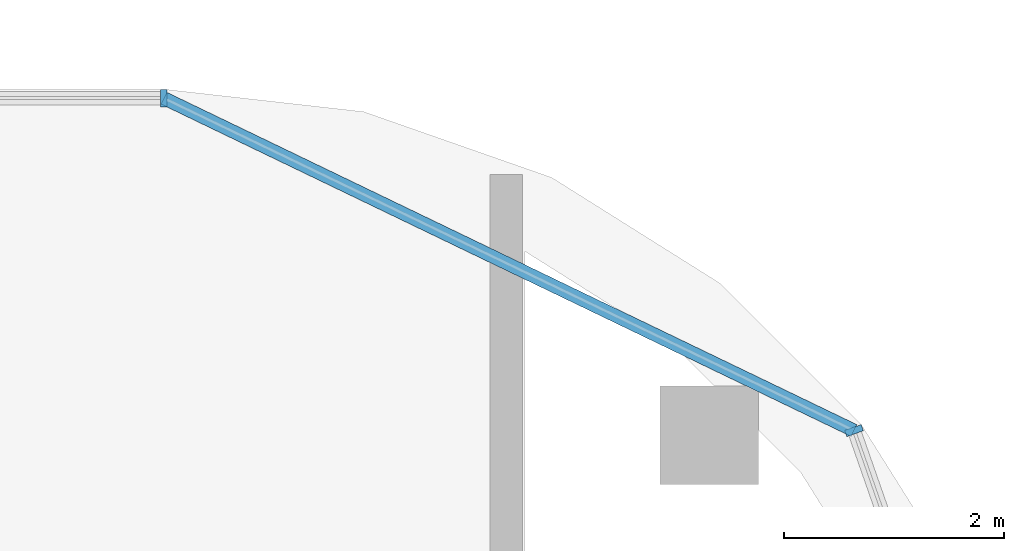
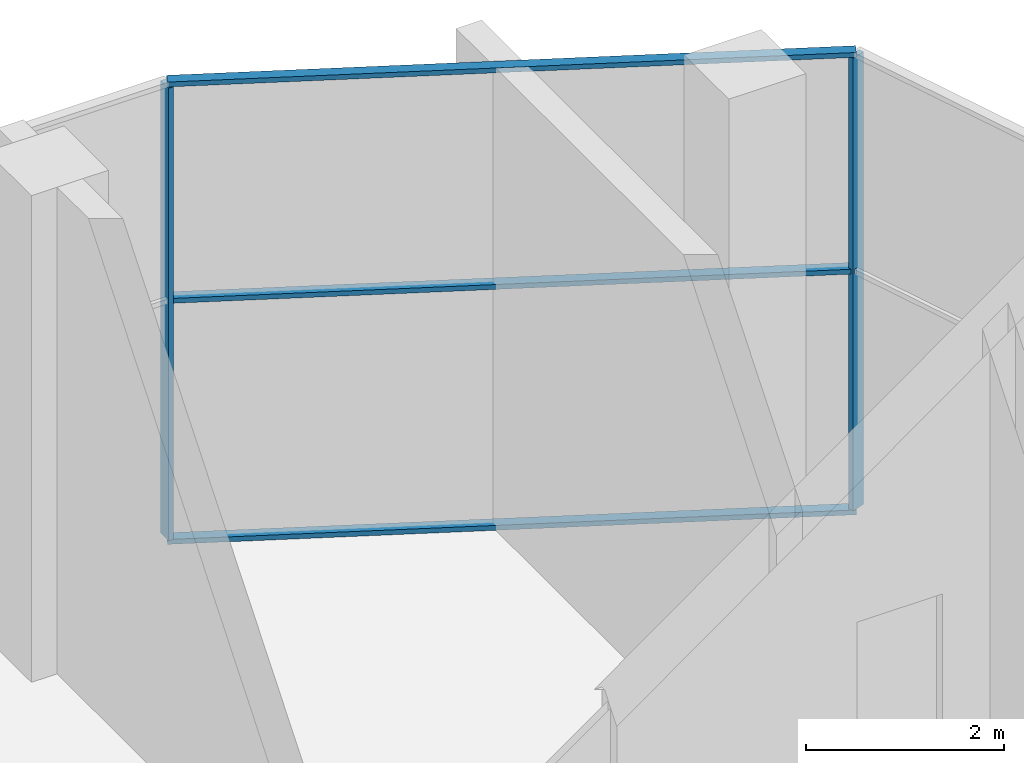
# One storey, part 8 of 21: 5 members, 2 elements without a shape of their own.
"""IFC4 building model written with IfcOpenShell, lengths in metres."""

from ifc_helpers import new_model, si_unit, direction, frame, origin, origin_2d, place, context, subcontext, project, spatial, rectangle, extrude, material, material_profile, profile_set, type_object, element, aggregate, save


model = new_model("IFC4")

# Units and contexts
model_context = context("Model", 3, precision=1e-05, world=origin(), true_north=direction((0.0, 1.0)))
body_context = subcontext(model_context, "Body", "Model", "MODEL_VIEW")
ifc_project = project(units=[si_unit("LENGTHUNIT", "METRE"), si_unit("AREAUNIT", "SQUARE_METRE"), si_unit("VOLUMEUNIT", "CUBIC_METRE"), si_unit("PLANEANGLEUNIT", "RADIAN"), si_unit("MASSUNIT", "GRAM", prefix="KILO")], contexts=[model_context])

# Site, building, storey
site_placement = place(None, origin())
site = spatial("IfcSite", under=ifc_project, at=site_placement, CompositionType="ELEMENT")
building_placement = place(site_placement, origin())
building = spatial("IfcBuilding", under=site, at=building_placement, Name="Ogive Portal Towers", CompositionType="ELEMENT")
storey_placement = place(building_placement, frame((0.0, 0.0, 266.89990234375)))
storey = spatial("IfcBuildingStorey", under=building, at=storey_placement, Name="L65", CompositionType="ELEMENT", Elevation=266.89990234375)

# Curtain wall, member
ifc_material_1 = material(Name="Glass, clear low-iron insulated glazing", Category="glass")
curtain_wall_type = type_object("IfcCurtainWallType", Name="CW OBSERVATION WALL", PredefinedType="NOTDEFINED", material=ifc_material_1)
curtain_wall_1_placement = place(storey_placement, origin())
curtain_wall_1 = element("IfcCurtainWall", 1, at=curtain_wall_1_placement, inside=storey, type_object=curtain_wall_type, Name="A:L65:f11:cw0", PredefinedType="NOTDEFINED")
ifc_material_2 = material(Name="Aluminium 6063 anodised", Category="aluminium")
ifc_material_profile_1 = material_profile(ifc_material_2, rectangle(XDim=0.159912109375, YDim=0.06005859375, at=origin_2d()), Name="AL 60x160")
ifc_profile_set_1 = profile_set([ifc_material_profile_1], Name="Aluminium 6063 anodised")
member_type_1 = type_object("IfcMemberType", Name="CW MULLION 60x160", PredefinedType="MULLION", material=ifc_profile_set_1)
member_1_placement = place(storey_placement, frame((87.481689453125, 40.52001953125, 0.06005859375), z_axis=(0.0, 0.0, 1.0), x_axis=(0.0, -1.0, 0.0)))
member_1 = element("IfcMember", 2, at=member_1_placement, type_object=member_type_1, Name="mullion", PredefinedType="MULLION", context=body_context, shape_type="SweptSolid", body=[
    extrude(rectangle(XDim=0.159912109375, YDim=0.06005859375, at=origin_2d()), origin(), (0.0, 0.0, 1.0), 5.580078125),
])
aggregate(curtain_wall_1, [member_1])

# Curtain wall, members
curtain_wall_2_placement = place(storey_placement, origin())
curtain_wall_2 = element("IfcCurtainWall", 3, at=curtain_wall_2_placement, inside=storey, type_object=curtain_wall_type, Name="A:L65:f09:cwa", PredefinedType="NOTDEFINED")
member_2_placement = place(storey_placement, frame((93.768310546875, 37.49267578125, 0.06005859375), z_axis=(0.0, 0.0, 1.0), x_axis=(-0.943883330307, -0.33027906196, 0.0)))
member_2 = element("IfcMember", 4, at=member_2_placement, type_object=member_type_1, Name="mullion", PredefinedType="MULLION", context=body_context, shape_type="SweptSolid", body=[
    extrude(rectangle(XDim=0.159912109375, YDim=0.06005859375, at=origin_2d()), origin(), (0.0, 0.0, 1.0), 5.580078125),
])
ifc_material_profile_2 = material_profile(ifc_material_2, rectangle(XDim=0.1201171875, YDim=0.06005859375, at=origin_2d()), Name="AL 120x60")
ifc_profile_set_2 = profile_set([ifc_material_profile_2], Name="Aluminium 6063 anodised")
member_type_2 = type_object("IfcMemberType", Name="CW TRANSOM 60x120", PredefinedType="USERDEFINED", material=ifc_profile_set_2)
member_3_placement = place(storey_placement, frame((93.768310546875, 37.49267578125, 0.030029296875), z_axis=(-0.90097634184, 0.433868218983, 0.0), x_axis=(-0.433868218983, -0.90097634184, 0.0)))
member_3 = element("IfcMember", 5, at=member_3_placement, type_object=member_type_2, Name="transom", ObjectType="TRANSOM", PredefinedType="USERDEFINED", context=body_context, shape_type="SweptSolid", body=[
    extrude(rectangle(XDim=0.1201171875, YDim=0.06005859375, at=origin_2d()), origin(), (0.0, 0.0, 1.0), 6.9775390625),
])
member_4_placement = place(storey_placement, frame((93.768310546875, 37.49267578125, 3.0), z_axis=(-0.90097634184, 0.433868218983, 0.0), x_axis=(-0.433868218983, -0.90097634184, 0.0)))
member_4 = element("IfcMember", 6, at=member_4_placement, type_object=member_type_2, Name="transom", ObjectType="TRANSOM", PredefinedType="USERDEFINED", context=body_context, shape_type="SweptSolid", body=[
    extrude(rectangle(XDim=0.1201171875, YDim=0.06005859375, at=origin_2d()), origin(), (0.0, 0.0, 1.0), 6.9775390625),
])
member_5_placement = place(storey_placement, frame((93.768310546875, 37.49267578125, 5.670166015625), z_axis=(-0.90097634184, 0.433868218983, 0.0), x_axis=(-0.433868218983, -0.90097634184, 0.0)))
member_5 = element("IfcMember", 7, at=member_5_placement, type_object=member_type_2, Name="transom", ObjectType="TRANSOM", PredefinedType="USERDEFINED", context=body_context, shape_type="SweptSolid", body=[
    extrude(rectangle(XDim=0.1201171875, YDim=0.06005859375, at=origin_2d()), origin(), (0.0, 0.0, 1.0), 6.9775390625),
])
aggregate(curtain_wall_2, [member_3, member_4, member_5, member_2])

save(model, "model.ifc")
